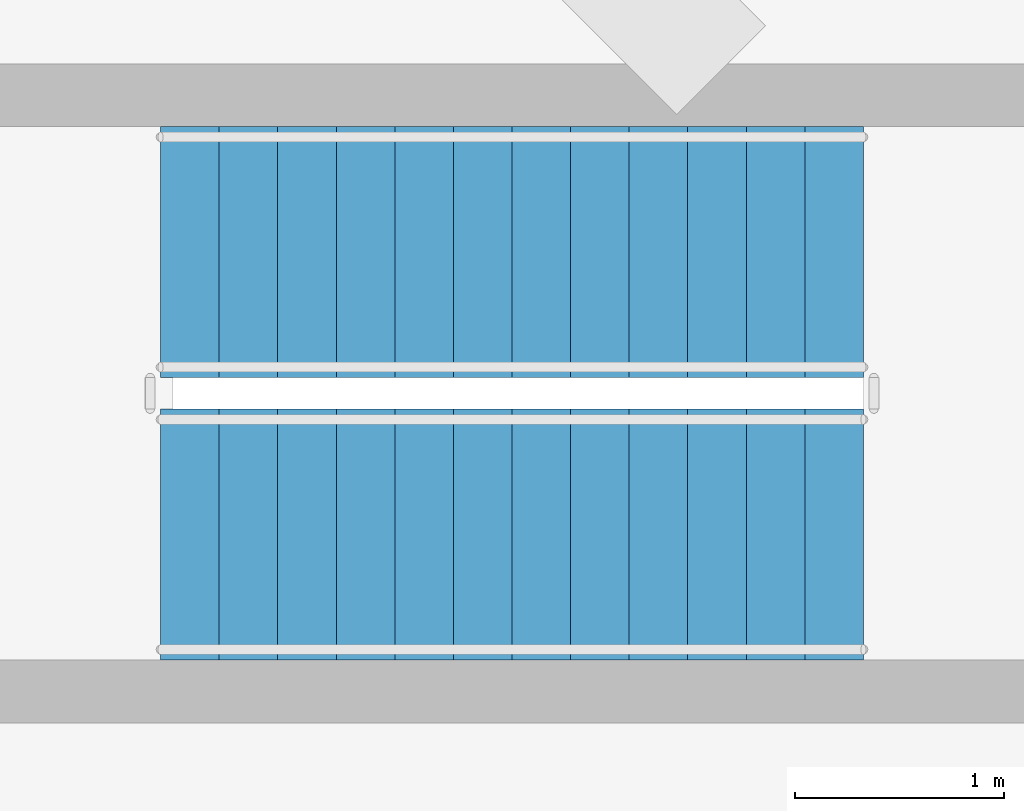
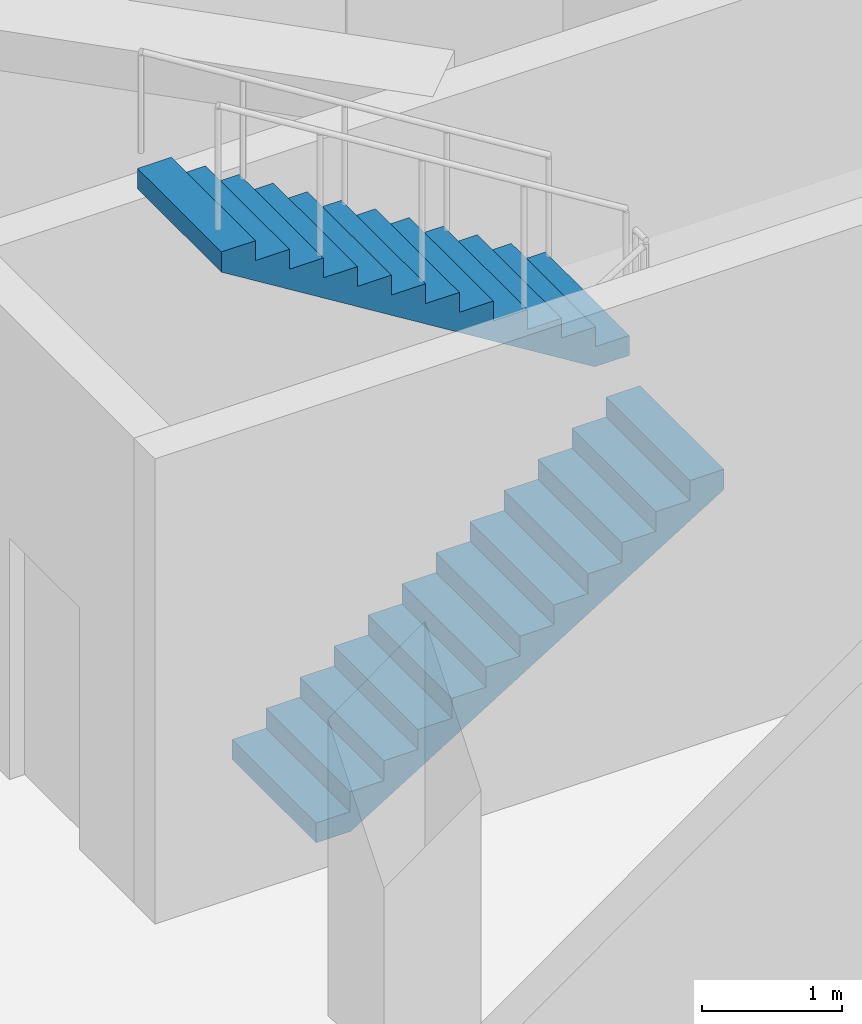
# One storey, part 8 of 10: 2 stair flights, 1 element without a shape of its own.
"""IFC4 building model written with IfcOpenShell, lengths in metres."""

from ifc_helpers import new_model, si_unit, direction, frame, origin, place, context, subcontext, project, spatial, polyline, outline, extrude, material, type_object, element, aggregate, save


model = new_model("IFC4")

# Units and contexts
model_context = context("Model", 3, precision=1e-05, world=origin(), true_north=direction((0.0, 1.0)))
body_context = subcontext(model_context, "Body", "Model", "MODEL_VIEW")
ifc_project = project(units=[si_unit("LENGTHUNIT", "METRE"), si_unit("AREAUNIT", "SQUARE_METRE"), si_unit("VOLUMEUNIT", "CUBIC_METRE"), si_unit("PLANEANGLEUNIT", "RADIAN"), si_unit("MASSUNIT", "GRAM", prefix="KILO")], contexts=[model_context])

# Site, building, storey
site_placement = place(None, origin())
site = spatial("IfcSite", under=ifc_project, at=site_placement, CompositionType="ELEMENT")
building_placement = place(site_placement, origin())
building = spatial("IfcBuilding", under=site, at=building_placement, Name="Brevane Broadcast Tower", CompositionType="ELEMENT")
storey_placement = place(building_placement, frame((0.0, 0.0, 251.699951171875)))
storey = spatial("IfcBuildingStorey", under=building, at=storey_placement, Name="L64", CompositionType="ELEMENT", Elevation=251.699951171875)

# Stair, stair flights
ifc_material = material(Name="Concrete C50/60", Category="concrete")
stair_type = type_object("IfcStairType", Name="Exit stair 26 risers", PredefinedType="HALF_TURN_STAIR", material=ifc_material)
stair_placement = place(storey_placement, origin())
stair = element("IfcStair", 1, at=stair_placement, inside=storey, type_object=stair_type, Name="L64 Exit stair ST-3", PredefinedType="HALF_TURN_STAIR")
stair_flight_type = type_object("IfcStairFlightType", Name="Exit stair flight 26 risers", PredefinedType="STRAIGHT", material=ifc_material)
stair_flight_1_placement = place(storey_placement, frame((17.39990234375, 28.10009765625, 0.0), z_axis=(0.0, 0.0, 1.0), x_axis=(1.0, 0.0, 0.0)))
stair_flight_1 = element("IfcStairFlight", 2, at=stair_flight_1_placement, type_object=stair_flight_type, Name="ST-3 flight 1", NumberOfRisers=13, NumberOfTreads=12, PredefinedType="STRAIGHT", RiserHeight=0.173076923, TreadLength=0.28, context=body_context, shape_type="SweptSolid", body=[
    extrude(outline(polyline([(0.0, 0.0), (0.0, 0.173095703125), (0.280029296875, 0.173095703125), (0.280029296875, 0.34619140625), (0.56005859375, 0.34619140625), (0.56005859375, 0.519287109375), (0.840087890625, 0.519287109375), (0.840087890625, 0.6923828125), (1.1201171875, 0.6923828125), (1.1201171875, 0.865478515625), (1.39990234375, 0.865478515625), (1.39990234375, 1.03857421875), (1.679931640625, 1.03857421875), (1.679931640625, 1.21142578125), (1.9599609375, 1.21142578125), (1.9599609375, 1.384521484375), (2.239990234375, 1.384521484375), (2.239990234375, 1.5576171875), (2.52001953125, 1.5576171875), (2.52001953125, 1.730712890625), (2.800048828125, 1.730712890625), (2.800048828125, 1.90380859375), (3.080078125, 1.90380859375), (3.080078125, 2.076904296875), (3.360107421875, 2.076904296875), (3.360107421875, 2.25), (3.360107421875, 1.900634765625), (0.28515625, 0.0), (0.0, 0.0)])), frame((0.0, 0.60009765625, 0.0), z_axis=(0.0, -1.0, 0.0), x_axis=(1.0, 0.0, 0.0)), (0.0, 0.0, 1.0), 1.199951171875),
])
stair_flight_2_placement = place(storey_placement, frame((20.760009765625, 29.449951171875, 2.25), z_axis=(0.0, 0.0, 1.0), x_axis=(-1.0, 0.0, 0.0)))
stair_flight_2 = element("IfcStairFlight", 3, at=stair_flight_2_placement, type_object=stair_flight_type, Name="ST-3 flight 2", NumberOfRisers=13, NumberOfTreads=12, PredefinedType="STRAIGHT", RiserHeight=0.173076923, TreadLength=0.28, context=body_context, shape_type="SweptSolid", body=[
    extrude(outline(polyline([(0.0, 0.0), (0.0, 0.173095703125), (0.280029296875, 0.173095703125), (0.280029296875, 0.34619140625), (0.56005859375, 0.34619140625), (0.56005859375, 0.519287109375), (0.840087890625, 0.519287109375), (0.840087890625, 0.6923828125), (1.1201171875, 0.6923828125), (1.1201171875, 0.865478515625), (1.39990234375, 0.865478515625), (1.39990234375, 1.03857421875), (1.679931640625, 1.03857421875), (1.679931640625, 1.21142578125), (1.9599609375, 1.21142578125), (1.9599609375, 1.384521484375), (2.239990234375, 1.384521484375), (2.239990234375, 1.5576171875), (2.52001953125, 1.5576171875), (2.52001953125, 1.730712890625), (2.800048828125, 1.730712890625), (2.800048828125, 1.90380859375), (3.080078125, 1.90380859375), (3.080078125, 2.076904296875), (3.360107421875, 2.076904296875), (3.360107421875, 2.25), (3.360107421875, 1.900634765625), (0.28515625, 0.0), (0.0, 0.0)])), frame((0.0, 0.60009765625, 0.0), z_axis=(0.0, -1.0, 0.0), x_axis=(1.0, 0.0, 0.0)), (0.0, 0.0, 1.0), 1.199951171875),
])
aggregate(stair, [stair_flight_1, stair_flight_2])

save(model, "model.ifc")
